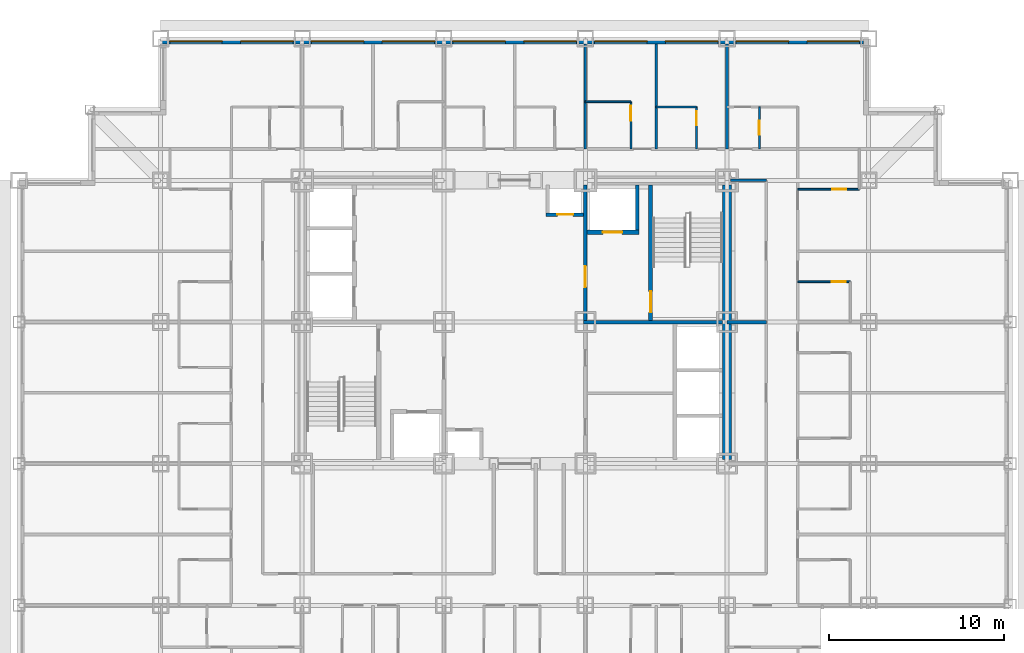
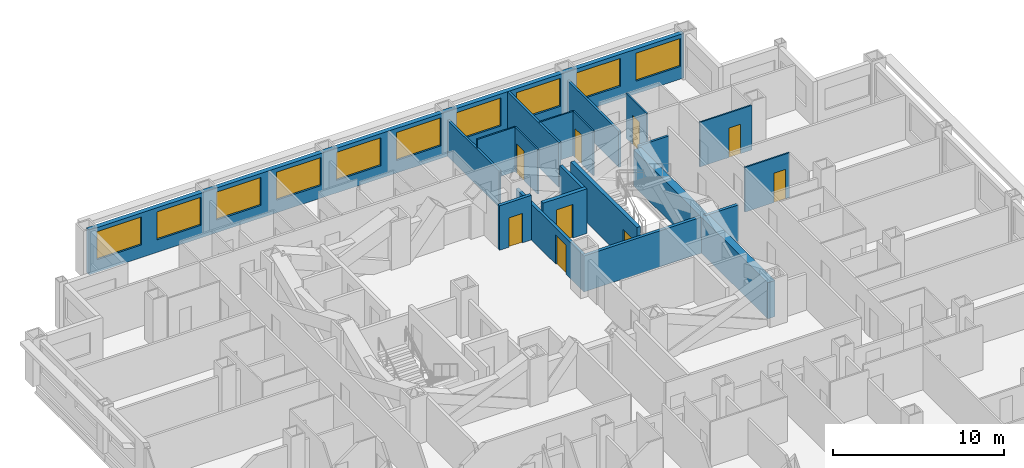
# One storey, part 9 of 11: 20 walls, 10 windows, 9 doors, 19 openings.
"""IFC4 building model written with IfcOpenShell, lengths in metres."""

from ifc_helpers import new_model, si_unit, direction, frame, frame_2d, origin, place, context, subcontext, project, spatial, rectangle, extrude, material, layer, layer_set, type_object, element, fill, save


model = new_model("IFC4")

# Units and contexts
model_context = context("Model", 3, precision=1e-05, world=origin(), true_north=direction((0.0, 1.0)))
body_context = subcontext(model_context, "Body", "Model", "MODEL_VIEW")
ifc_project = project(units=[si_unit("LENGTHUNIT", "METRE"), si_unit("AREAUNIT", "SQUARE_METRE"), si_unit("VOLUMEUNIT", "CUBIC_METRE"), si_unit("PLANEANGLEUNIT", "RADIAN"), si_unit("MASSUNIT", "GRAM", prefix="KILO")], contexts=[model_context])

# Site, building, storey
site_placement = place(None, origin())
site = spatial("IfcSite", under=ifc_project, at=site_placement, CompositionType="ELEMENT")
building_placement = place(site_placement, origin())
building = spatial("IfcBuilding", under=site, at=building_placement, Name="Kopane Lantern Tower", CompositionType="ELEMENT")
storey_placement = place(building_placement, frame((0.0, 0.0, 33.0)))
storey = spatial("IfcBuildingStorey", under=building, at=storey_placement, Name="L06", CompositionType="ELEMENT", Elevation=33.0)

# Wall
ifc_material_1 = material(Name="Moisture-resistant board on steel studs", Category="steel")
ifc_layer_1 = layer(ifc_material_1, 0.10009765625)
ifc_layer_set_1 = layer_set([ifc_layer_1], Name="BATHROOM WALL 100")
wall_type_1 = type_object("IfcWallType", Name="BATHROOM WALL 100", PredefinedType="PARTITIONING", material=ifc_layer_set_1)
wall_1_placement = place(storey_placement, frame((32.39990234375, 45.0, 0.0), z_axis=(0.0, 0.0, 1.0), x_axis=(1.0, 0.0, 0.0)))
element("IfcWall", 1, at=wall_1_placement, inside=storey, type_object=wall_type_1, Name="Bathroom Wall 100 L06", PredefinedType="PARTITIONING", context=body_context, shape_type="SweptSolid", body=[
    extrude(rectangle(XDim=2.60009765625, YDim=0.10009765625, at=frame_2d((1.300048828125, 0.0))), origin(), (0.0, 0.0, 1.0), 3.18994140625),
])

# Wall, opening, door
wall_2_placement = place(storey_placement, frame((35.0, 42.300048828125, 0.0), z_axis=(0.0, 0.0, 1.0), x_axis=(0.0, 1.0, 0.0)))
wall_2 = element("IfcWall", 2, at=wall_2_placement, inside=storey, type_object=wall_type_1, Name="Bathroom Wall 100 L06", PredefinedType="PARTITIONING", context=body_context, shape_type="SweptSolid", body=[
    extrude(rectangle(XDim=2.699951171875, YDim=0.10009765625, at=frame_2d((1.35009765625, 0.0))), origin(), (0.0, 0.0, 1.0), 3.18994140625),
])
opening_1_placement = place(wall_2_placement, frame((1.625, 0.0, 0.0)))
opening_1 = element("IfcOpeningElement", 3, at=opening_1_placement, cuts=wall_2, Name="Opening L06-031", PredefinedType="OPENING", context=body_context, shape_type="SweptSolid", body=[
    extrude(rectangle(XDim=0.85009765625, YDim=2.10009765625, at=frame_2d((0.425048828125, 1.050048828125))), frame((0.0, 0.06005859375, 0.0), z_axis=(0.0, -1.0, 0.0), x_axis=(1.0, 0.0, 0.0)), (0.0, 0.0, 1.0), 0.1201171875),
])
ifc_material_2 = material(Name="Timber door set", Category="wood")
door_type_1 = type_object("IfcDoorType", Name="DOOR D4 850x2100", OperationType="SINGLE_SWING_LEFT", PredefinedType="DOOR", material=ifc_material_2)
door_1_placement = place(opening_1_placement, origin())
door_1 = element("IfcDoor", 4, at=door_1_placement, inside=storey, type_object=door_type_1, Name="Door L06-031", OperationType="SINGLE_SWING_RIGHT", OverallHeight=2.10009765625, OverallWidth=0.85009765625, PredefinedType="DOOR", context=body_context, shape_type="SweptSolid", body=[
    extrude(rectangle(XDim=0.85009765625, YDim=2.10009765625, at=frame_2d((0.425048828125, 1.050048828125))), frame((0.0, 0.02490234375, 0.0), z_axis=(0.0, -1.0, 0.0), x_axis=(1.0, 0.0, 0.0)), (0.0, 0.0, 1.0), 0.050048828125),
])
fill(opening_1, door_1)

# Wall
wall_3_placement = place(storey_placement, frame((36.449951171875, 44.699951171875, 0.0), z_axis=(0.0, 0.0, 1.0), x_axis=(1.0, 0.0, 0.0)))
element("IfcWall", 5, at=wall_3_placement, inside=storey, type_object=wall_type_1, Name="Bathroom Wall 100 L06", PredefinedType="PARTITIONING", context=body_context, shape_type="SweptSolid", body=[
    extrude(rectangle(XDim=2.300048828125, YDim=0.10009765625, at=frame_2d((1.14990234375, 0.0))), origin(), (0.0, 0.0, 1.0), 3.18994140625),
])

# Wall, opening, door
wall_4_placement = place(storey_placement, frame((38.75, 42.300048828125, 0.0), z_axis=(0.0, 0.0, 1.0), x_axis=(0.0, 1.0, 0.0)))
wall_4 = element("IfcWall", 6, at=wall_4_placement, inside=storey, type_object=wall_type_1, Name="Bathroom Wall 100 L06", PredefinedType="PARTITIONING", context=body_context, shape_type="SweptSolid", body=[
    extrude(rectangle(XDim=2.39990234375, YDim=0.10009765625, at=frame_2d((1.199951171875, 0.0))), origin(), (0.0, 0.0, 1.0), 3.18994140625),
])
opening_2_placement = place(wall_4_placement, frame((1.35009765625, 0.0, 0.0)))
opening_2 = element("IfcOpeningElement", 7, at=opening_2_placement, cuts=wall_4, Name="Opening L06-033", PredefinedType="OPENING", context=body_context, shape_type="SweptSolid", body=[
    extrude(rectangle(XDim=0.800048828125, YDim=2.10009765625, at=frame_2d((0.39990234375, 1.050048828125))), frame((0.0, 0.06005859375, 0.0), z_axis=(0.0, -1.0, 0.0), x_axis=(1.0, 0.0, 0.0)), (0.0, 0.0, 1.0), 0.1201171875),
])
ifc_material_3 = material(Name="Timber door set", Category="wood")
door_type_2 = type_object("IfcDoorType", Name="DOOR D2 800x2100", OperationType="SINGLE_SWING_LEFT", PredefinedType="DOOR", material=ifc_material_3)
door_2_placement = place(opening_2_placement, origin())
door_2 = element("IfcDoor", 8, at=door_2_placement, inside=storey, type_object=door_type_2, Name="Door L06-033", OperationType="SINGLE_SWING_RIGHT", OverallHeight=2.10009765625, OverallWidth=0.800048828125, PredefinedType="DOOR", context=body_context, shape_type="SweptSolid", body=[
    extrude(rectangle(XDim=0.800048828125, YDim=2.10009765625, at=frame_2d((0.39990234375, 1.050048828125))), frame((0.0, 0.02490234375, 0.0), z_axis=(0.0, -1.0, 0.0), x_axis=(1.0, 0.0, 0.0)), (0.0, 0.0, 1.0), 0.050048828125),
])
fill(opening_2, door_2)

wall_5_placement = place(storey_placement, frame((44.550048828125, 34.699951171875, 0.0), z_axis=(0.0, 0.0, 1.0), x_axis=(1.0, 0.0, 0.0)))
wall_5 = element("IfcWall", 9, at=wall_5_placement, inside=storey, type_object=wall_type_1, Name="Bathroom Wall 100 L06", PredefinedType="PARTITIONING", context=body_context, shape_type="SweptSolid", body=[
    extrude(rectangle(XDim=3.0, YDim=0.10009765625, at=frame_2d((1.5, 0.0))), origin(), (0.0, 0.0, 1.0), 3.18994140625),
])
opening_3_placement = place(wall_5_placement, frame((1.949951171875, 0.0, 0.0)))
opening_3 = element("IfcOpeningElement", 10, at=opening_3_placement, cuts=wall_5, Name="Opening L06-055", PredefinedType="OPENING", context=body_context, shape_type="SweptSolid", body=[
    extrude(rectangle(XDim=0.800048828125, YDim=2.10009765625, at=frame_2d((0.39990234375, 1.050048828125))), frame((0.0, 0.06005859375, 0.0), z_axis=(0.0, -1.0, 0.0), x_axis=(1.0, 0.0, 0.0)), (0.0, 0.0, 1.0), 0.1201171875),
])
door_3_placement = place(opening_3_placement, origin())
door_3 = element("IfcDoor", 11, at=door_3_placement, inside=storey, type_object=door_type_2, Name="Door L06-055", OperationType="SINGLE_SWING_LEFT", OverallHeight=2.10009765625, OverallWidth=0.800048828125, PredefinedType="DOOR", context=body_context, shape_type="SweptSolid", body=[
    extrude(rectangle(XDim=0.800048828125, YDim=2.10009765625, at=frame_2d((0.39990234375, 1.050048828125))), frame((0.0, 0.02490234375, 0.0), z_axis=(0.0, -1.0, 0.0), x_axis=(1.0, 0.0, 0.0)), (0.0, 0.0, 1.0), 0.050048828125),
])
fill(opening_3, door_3)

wall_6_placement = place(storey_placement, frame((44.550048828125, 40.0, 0.0), z_axis=(0.0, 0.0, 1.0), x_axis=(1.0, 0.0, 0.0)))
wall_6 = element("IfcWall", 12, at=wall_6_placement, inside=storey, type_object=wall_type_1, Name="Bathroom Wall 100 L06", PredefinedType="PARTITIONING", context=body_context, shape_type="SweptSolid", body=[
    extrude(rectangle(XDim=3.514892578125, YDim=0.10009765625, at=frame_2d((1.75732421875, 0.0))), origin(), (0.0, 0.0, 1.0), 3.18994140625),
])
opening_4_placement = place(wall_6_placement, frame((1.965087890625, 0.0, 0.0)))
opening_4 = element("IfcOpeningElement", 13, at=opening_4_placement, cuts=wall_6, Name="Opening L06-057", PredefinedType="OPENING", context=body_context, shape_type="SweptSolid", body=[
    extrude(rectangle(XDim=0.800048828125, YDim=2.10009765625, at=frame_2d((0.39990234375, 1.050048828125))), frame((0.0, 0.06005859375, 0.0), z_axis=(0.0, -1.0, 0.0), x_axis=(1.0, 0.0, 0.0)), (0.0, 0.0, 1.0), 0.1201171875),
])
door_4_placement = place(opening_4_placement, origin())
door_4 = element("IfcDoor", 14, at=door_4_placement, inside=storey, type_object=door_type_2, Name="Door L06-057", OperationType="SINGLE_SWING_RIGHT", OverallHeight=2.10009765625, OverallWidth=0.800048828125, PredefinedType="DOOR", context=body_context, shape_type="SweptSolid", body=[
    extrude(rectangle(XDim=0.800048828125, YDim=2.10009765625, at=frame_2d((0.39990234375, 1.050048828125))), frame((0.0, 0.02490234375, 0.0), z_axis=(0.0, -1.0, 0.0), x_axis=(1.0, 0.0, 0.0)), (0.0, 0.0, 1.0), 0.050048828125),
])
fill(opening_4, door_4)

wall_7_placement = place(storey_placement, frame((42.35009765625, 42.300048828125, 0.0), z_axis=(0.0, 0.0, 1.0), x_axis=(0.0, 1.0, 0.0)))
wall_7 = element("IfcWall", 15, at=wall_7_placement, inside=storey, type_object=wall_type_1, Name="Bathroom Wall 100 L06", PredefinedType="PARTITIONING", context=body_context, shape_type="SweptSolid", body=[
    extrude(rectangle(XDim=2.39990234375, YDim=0.10009765625, at=frame_2d((1.199951171875, 0.0))), origin(), (0.0, 0.0, 1.0), 3.18994140625),
])
opening_5_placement = place(wall_7_placement, frame((0.800048828125, 0.0, 0.0)))
opening_5 = element("IfcOpeningElement", 16, at=opening_5_placement, cuts=wall_7, Name="Opening L06-069", PredefinedType="OPENING", context=body_context, shape_type="SweptSolid", body=[
    extrude(rectangle(XDim=0.800048828125, YDim=2.10009765625, at=frame_2d((0.39990234375, 1.050048828125))), frame((0.0, 0.06005859375, 0.0), z_axis=(0.0, -1.0, 0.0), x_axis=(1.0, 0.0, 0.0)), (0.0, 0.0, 1.0), 0.1201171875),
])
door_5_placement = place(opening_5_placement, origin())
door_5 = element("IfcDoor", 17, at=door_5_placement, inside=storey, type_object=door_type_2, Name="Door L06-069", OperationType="SINGLE_SWING_RIGHT", OverallHeight=2.10009765625, OverallWidth=0.800048828125, PredefinedType="DOOR", context=body_context, shape_type="SweptSolid", body=[
    extrude(rectangle(XDim=0.800048828125, YDim=2.10009765625, at=frame_2d((0.39990234375, 1.050048828125))), frame((0.0, 0.02490234375, 0.0), z_axis=(0.0, -1.0, 0.0), x_axis=(1.0, 0.0, 0.0)), (0.0, 0.0, 1.0), 0.050048828125),
])
fill(opening_5, door_5)

# Wall
ifc_material_4 = material(Name="Gypsum shaft wall EI 120", Category="gypsum")
ifc_layer_2 = layer(ifc_material_4, 0.5)
ifc_layer_set_2 = layer_set([ifc_layer_2], Name="CORE PERIMETER WALL 500 EI 120")
wall_type_2 = type_object("IfcWallType", Name="CORE PERIMETER WALL 500 EI 120", PredefinedType="SOLIDWALL", material=ifc_layer_set_2)
wall_8_placement = place(storey_placement, frame((40.5, 24.550048828125, 0.0), z_axis=(0.0, 0.0, 1.0), x_axis=(0.0, 1.0, 0.0)))
element("IfcWall", 18, at=wall_8_placement, inside=storey, type_object=wall_type_2, Name="Core shaft wall L06 PE", PredefinedType="SOLIDWALL", context=body_context, shape_type="SweptSolid", body=[
    extrude(rectangle(XDim=15.699951171875, YDim=0.5, at=frame_2d((7.85009765625, 0.0))), origin(), (0.0, 0.0, 1.0), 2.577880859375),
])

# Wall, opening, door
ifc_material_5 = material(Name="Gypsum shaft wall EI 120", Category="gypsum")
ifc_layer_3 = layer(ifc_material_5, 0.25)
ifc_layer_set_3 = layer_set([ifc_layer_3], Name="CORE SHAFT WALL 250 EI 120")
wall_type_3 = type_object("IfcWallType", Name="CORE SHAFT WALL 250 EI 120", PredefinedType="SOLIDWALL", material=ifc_layer_set_3)
wall_9_placement = place(storey_placement, frame((36.125, 32.5, 0.0), z_axis=(0.0, 0.0, 1.0), x_axis=(0.0, 1.0, 0.0)))
wall_9 = element("IfcWall", 19, at=wall_9_placement, inside=storey, type_object=wall_type_3, Name="Core shaft wall L06 XST2", PredefinedType="SOLIDWALL", context=body_context, shape_type="SweptSolid", body=[
    extrude(rectangle(XDim=7.75, YDim=0.25, at=frame_2d((3.875, 0.0))), origin(), (0.0, 0.0, 1.0), 3.18994140625),
])
opening_6_placement = place(wall_9_placement, frame((0.449951171875, 0.0, 0.0)))
opening_6 = element("IfcOpeningElement", 20, at=opening_6_placement, cuts=wall_9, Name="Opening 06.SD2", PredefinedType="OPENING", context=body_context, shape_type="SweptSolid", body=[
    extrude(rectangle(XDim=1.199951171875, YDim=2.10009765625, at=frame_2d((0.60009765625, 1.050048828125))), frame((0.0, 0.135009765625, 0.0), z_axis=(0.0, -1.0, 0.0), x_axis=(1.0, 0.0, 0.0)), (0.0, 0.0, 1.0), 0.27001953125),
])
ifc_material_6 = material(Name="Steel door set", Category="steel")
door_type_3 = type_object("IfcDoorType", Name="STAIR DOOR 1200x2100 FD60S", OperationType="SINGLE_SWING_LEFT", PredefinedType="DOOR", material=ifc_material_6)
door_6_placement = place(opening_6_placement, origin())
door_6 = element("IfcDoor", 21, at=door_6_placement, inside=storey, type_object=door_type_3, Name="Stair door ST2 L06", OperationType="SINGLE_SWING_RIGHT", OverallHeight=2.10009765625, OverallWidth=1.199951171875, PredefinedType="DOOR", context=body_context, shape_type="SweptSolid", body=[
    extrude(rectangle(XDim=1.199951171875, YDim=2.10009765625, at=frame_2d((0.60009765625, 1.050048828125))), frame((0.0, 0.02490234375, 0.0), z_axis=(0.0, -1.0, 0.0), x_axis=(1.0, 0.0, 0.0)), (0.0, 0.0, 1.0), 0.050048828125),
])
fill(opening_6, door_6)

wall_10_placement = place(storey_placement, frame((32.5, 37.52490234375, 0.0), z_axis=(0.0, 0.0, 1.0), x_axis=(1.0, 0.0, 0.0)))
wall_10 = element("IfcWall", 22, at=wall_10_placement, inside=storey, type_object=wall_type_3, Name="Core shaft wall L06 YLF2", PredefinedType="SOLIDWALL", context=body_context, shape_type="SweptSolid", body=[
    extrude(rectangle(XDim=2.949951171875, YDim=0.25, at=frame_2d((1.47509765625, 0.0))), origin(), (0.0, 0.0, 1.0), 3.18994140625),
])
opening_7_placement = place(wall_10_placement, frame((0.89990234375, 0.0, 0.0)))
opening_7 = element("IfcOpeningElement", 23, at=opening_7_placement, cuts=wall_10, Name="Opening 06.LD-LF2", PredefinedType="OPENING", context=body_context, shape_type="SweptSolid", body=[
    extrude(rectangle(XDim=1.10009765625, YDim=2.39990234375, at=frame_2d((0.550048828125, 1.199951171875))), frame((0.0, 0.135009765625, 0.0), z_axis=(0.0, -1.0, 0.0), x_axis=(1.0, 0.0, 0.0)), (0.0, 0.0, 1.0), 0.27001953125),
])
ifc_material_7 = material(Name="Steel door set", Category="steel")
door_type_4 = type_object("IfcDoorType", Name="LIFT LANDING DOOR 1100x2400 FD60", OperationType="DOUBLE_DOOR_SLIDING", PredefinedType="DOOR", material=ifc_material_7)
door_7_placement = place(opening_7_placement, origin())
door_7 = element("IfcDoor", 24, at=door_7_placement, inside=storey, type_object=door_type_4, Name="Landing door LF2 L06", OperationType="DOUBLE_DOOR_SLIDING", OverallHeight=2.39990234375, OverallWidth=1.10009765625, PredefinedType="DOOR", context=body_context, shape_type="SweptSolid", body=[
    extrude(rectangle(XDim=1.10009765625, YDim=2.39990234375, at=frame_2d((0.550048828125, 1.199951171875))), frame((0.0, 0.02490234375, 0.0), z_axis=(0.0, -1.0, 0.0), x_axis=(1.0, 0.0, 0.0)), (0.0, 0.0, 1.0), 0.050048828125),
])
fill(opening_7, door_7)

# Walls
ifc_material_8 = material(Name="Gypsum board on steel studs", Category="steel")
ifc_layer_4 = layer(ifc_material_8, 0.14990234375)
ifc_layer_set_4 = layer_set([ifc_layer_4], Name="CORRIDOR WALL 150 EI 60")
wall_type_4 = type_object("IfcWallType", Name="CORRIDOR WALL 150 EI 60", PredefinedType="PARTITIONING", material=ifc_layer_set_4)
wall_11_placement = place(storey_placement, frame((42.75, 40.5, 0.0), z_axis=(0.0, 0.0, 1.0), x_axis=(-1.0, 0.0, 0.0)))
element("IfcWall", 25, at=wall_11_placement, inside=storey, type_object=wall_type_4, Name="Corridor Wall 150 Ei 60 L06", PredefinedType="PARTITIONING", context=body_context, shape_type="SweptSolid", body=[
    extrude(rectangle(XDim=2.050048828125, YDim=0.14990234375, at=frame_2d((1.02490234375, 0.0))), origin(), (0.0, 0.0, 1.0), 2.577880859375),
])
ifc_material_9 = material(Name="Gypsum board on steel studs", Category="steel")
ifc_layer_5 = layer(ifc_material_9, 0.14990234375)
ifc_layer_set_5 = layer_set([ifc_layer_5], Name="DEMISING WALL 150 EI 60")
wall_type_5 = type_object("IfcWallType", Name="DEMISING WALL 150 EI 60", PredefinedType="PARTITIONING", material=ifc_layer_set_5)
wall_12_placement = place(storey_placement, frame((32.39990234375, 42.300048828125, 0.0), z_axis=(0.0, 0.0, 1.0), x_axis=(0.0, 1.0, 0.0)))
element("IfcWall", 26, at=wall_12_placement, inside=storey, type_object=wall_type_5, Name="Demising Wall 150 Ei 60 L06", PredefinedType="PARTITIONING", context=body_context, shape_type="SweptSolid", body=[
    extrude(rectangle(XDim=6.0, YDim=0.14990234375, at=frame_2d((3.0, 0.0))), origin(), (0.0, 0.0, 1.0), 2.577880859375),
])
wall_13_placement = place(storey_placement, frame((36.449951171875, 42.300048828125, 0.0), z_axis=(0.0, 0.0, 1.0), x_axis=(0.0, 1.0, 0.0)))
element("IfcWall", 27, at=wall_13_placement, inside=storey, type_object=wall_type_5, Name="Demising Wall 150 Ei 60 L06", PredefinedType="PARTITIONING", context=body_context, shape_type="SweptSolid", body=[
    extrude(rectangle(XDim=6.0, YDim=0.14990234375, at=frame_2d((3.0, 0.0))), origin(), (0.0, 0.0, 1.0), 3.18994140625),
])
wall_14_placement = place(storey_placement, frame((40.5, 42.300048828125, 0.0), z_axis=(0.0, 0.0, 1.0), x_axis=(0.0, 1.0, 0.0)))
element("IfcWall", 28, at=wall_14_placement, inside=storey, type_object=wall_type_5, Name="Demising Wall 150 Ei 60 L06", PredefinedType="PARTITIONING", context=body_context, shape_type="SweptSolid", body=[
    extrude(rectangle(XDim=6.0, YDim=0.14990234375, at=frame_2d((3.0, 0.0))), origin(), (0.0, 0.0, 1.0), 2.577880859375),
])

# Wall, openings, windows
ifc_material_10 = material(Name="Terracotta rainscreen on light steel framing", Category="masonry")
ifc_layer_6 = layer(ifc_material_10, 0.300048828125)
ifc_layer_set_6 = layer_set([ifc_layer_6], Name="EXTERNAL WALL EW1 300 TERRACOTTA")
wall_type_6 = type_object("IfcWallType", Name="EXTERNAL WALL EW1 300 TERRACOTTA", PredefinedType="SOLIDWALL", material=ifc_layer_set_6)
wall_15_placement = place(storey_placement, frame((48.300048828125, 48.449951171875, 0.0), z_axis=(0.0, 0.0, 1.0), x_axis=(-1.0, 0.0, 0.0)))
wall_15 = element("IfcWall", 29, at=wall_15_placement, inside=storey, type_object=wall_type_6, Name="External wall N L06", PredefinedType="SOLIDWALL", context=body_context, shape_type="SweptSolid", body=[
    extrude(rectangle(XDim=40.199951171875, YDim=0.300048828125, at=frame_2d((20.10009765625, 0.0))), origin(), (0.0, 0.0, 1.0), 3.18994140625),
])
opening_8_placement = place(wall_15_placement, frame((0.22509765625, 0.0, 0.89990234375)))
opening_8 = element("IfcOpeningElement", 30, at=opening_8_placement, cuts=wall_15, Name="Opening WR300200", PredefinedType="OPENING", context=body_context, shape_type="SweptSolid", body=[
    extrude(rectangle(XDim=3.0, YDim=2.0, at=frame_2d((1.5, 1.0))), frame((0.0, 0.159912109375, 0.0), z_axis=(0.0, -1.0, 0.0), x_axis=(1.0, 0.0, 0.0)), (0.0, 0.0, 1.0), 0.320068359375),
])
opening_9_placement = place(wall_15_placement, frame((4.27490234375, 0.0, 0.89990234375)))
opening_9 = element("IfcOpeningElement", 31, at=opening_9_placement, cuts=wall_15, Name="Opening WR300200", PredefinedType="OPENING", context=body_context, shape_type="SweptSolid", body=[
    extrude(rectangle(XDim=3.0, YDim=2.0, at=frame_2d((1.5, 1.0))), frame((0.0, 0.159912109375, 0.0), z_axis=(0.0, -1.0, 0.0), x_axis=(1.0, 0.0, 0.0)), (0.0, 0.0, 1.0), 0.320068359375),
])
opening_10_placement = place(wall_15_placement, frame((8.324951171875, 0.0, 0.89990234375)))
opening_10 = element("IfcOpeningElement", 32, at=opening_10_placement, cuts=wall_15, Name="Opening WR300200", PredefinedType="OPENING", context=body_context, shape_type="SweptSolid", body=[
    extrude(rectangle(XDim=3.0, YDim=2.0, at=frame_2d((1.5, 1.0))), frame((0.0, 0.159912109375, 0.0), z_axis=(0.0, -1.0, 0.0), x_axis=(1.0, 0.0, 0.0)), (0.0, 0.0, 1.0), 0.320068359375),
])
opening_11_placement = place(wall_15_placement, frame((12.375, 0.0, 0.89990234375)))
opening_11 = element("IfcOpeningElement", 33, at=opening_11_placement, cuts=wall_15, Name="Opening WR300200", PredefinedType="OPENING", context=body_context, shape_type="SweptSolid", body=[
    extrude(rectangle(XDim=3.0, YDim=2.0, at=frame_2d((1.5, 1.0))), frame((0.0, 0.159912109375, 0.0), z_axis=(0.0, -1.0, 0.0), x_axis=(1.0, 0.0, 0.0)), (0.0, 0.0, 1.0), 0.320068359375),
])
opening_12_placement = place(wall_15_placement, frame((16.425048828125, 0.0, 0.89990234375)))
opening_12 = element("IfcOpeningElement", 34, at=opening_12_placement, cuts=wall_15, Name="Opening WR300200", PredefinedType="OPENING", context=body_context, shape_type="SweptSolid", body=[
    extrude(rectangle(XDim=3.0, YDim=2.0, at=frame_2d((1.5, 1.0))), frame((0.0, 0.159912109375, 0.0), z_axis=(0.0, -1.0, 0.0), x_axis=(1.0, 0.0, 0.0)), (0.0, 0.0, 1.0), 0.320068359375),
])
opening_13_placement = place(wall_15_placement, frame((20.47509765625, 0.0, 0.89990234375)))
opening_13 = element("IfcOpeningElement", 35, at=opening_13_placement, cuts=wall_15, Name="Opening WR300200", PredefinedType="OPENING", context=body_context, shape_type="SweptSolid", body=[
    extrude(rectangle(XDim=3.0, YDim=2.0, at=frame_2d((1.5, 1.0))), frame((0.0, 0.159912109375, 0.0), z_axis=(0.0, -1.0, 0.0), x_axis=(1.0, 0.0, 0.0)), (0.0, 0.0, 1.0), 0.320068359375),
])
opening_14_placement = place(wall_15_placement, frame((24.52490234375, 0.0, 0.89990234375)))
opening_14 = element("IfcOpeningElement", 36, at=opening_14_placement, cuts=wall_15, Name="Opening WR300200", PredefinedType="OPENING", context=body_context, shape_type="SweptSolid", body=[
    extrude(rectangle(XDim=3.0, YDim=2.0, at=frame_2d((1.5, 1.0))), frame((0.0, 0.159912109375, 0.0), z_axis=(0.0, -1.0, 0.0), x_axis=(1.0, 0.0, 0.0)), (0.0, 0.0, 1.0), 0.320068359375),
])
opening_15_placement = place(wall_15_placement, frame((28.574951171875, 0.0, 0.89990234375)))
opening_15 = element("IfcOpeningElement", 37, at=opening_15_placement, cuts=wall_15, Name="Opening WR300200", PredefinedType="OPENING", context=body_context, shape_type="SweptSolid", body=[
    extrude(rectangle(XDim=3.0, YDim=2.0, at=frame_2d((1.5, 1.0))), frame((0.0, 0.159912109375, 0.0), z_axis=(0.0, -1.0, 0.0), x_axis=(1.0, 0.0, 0.0)), (0.0, 0.0, 1.0), 0.320068359375),
])
opening_16_placement = place(wall_15_placement, frame((32.625, 0.0, 0.89990234375)))
opening_16 = element("IfcOpeningElement", 38, at=opening_16_placement, cuts=wall_15, Name="Opening WR300200", PredefinedType="OPENING", context=body_context, shape_type="SweptSolid", body=[
    extrude(rectangle(XDim=3.0, YDim=2.0, at=frame_2d((1.5, 1.0))), frame((0.0, 0.159912109375, 0.0), z_axis=(0.0, -1.0, 0.0), x_axis=(1.0, 0.0, 0.0)), (0.0, 0.0, 1.0), 0.320068359375),
])
opening_17_placement = place(wall_15_placement, frame((36.675048828125, 0.0, 0.89990234375)))
opening_17 = element("IfcOpeningElement", 39, at=opening_17_placement, cuts=wall_15, Name="Opening WR300200", PredefinedType="OPENING", context=body_context, shape_type="SweptSolid", body=[
    extrude(rectangle(XDim=3.0, YDim=2.0, at=frame_2d((1.5, 1.0))), frame((0.0, 0.159912109375, 0.0), z_axis=(0.0, -1.0, 0.0), x_axis=(1.0, 0.0, 0.0)), (0.0, 0.0, 1.0), 0.320068359375),
])
ifc_material_11 = material(Name="Aluminium and clear glass", Category="aluminium")
window_type = type_object("IfcWindowType", Name="RIBBON WINDOW WR300200 3000x2000", PartitioningType="SINGLE_PANEL", PredefinedType="WINDOW", material=ifc_material_11)
window_1_placement = place(opening_8_placement, origin())
window_1 = element("IfcWindow", 40, at=window_1_placement, inside=storey, type_object=window_type, Name="Window N L06", OverallHeight=2.0, OverallWidth=3.0, PartitioningType="SINGLE_PANEL", PredefinedType="WINDOW", context=body_context, shape_type="SweptSolid", body=[
    extrude(rectangle(XDim=3.0, YDim=2.0, at=frame_2d((1.5, 1.0))), frame((0.0, 0.030029296875, 0.0), z_axis=(0.0, -1.0, 0.0), x_axis=(1.0, 0.0, 0.0)), (0.0, 0.0, 1.0), 0.06005859375),
])
fill(opening_8, window_1)
window_2_placement = place(opening_9_placement, origin())
window_2 = element("IfcWindow", 41, at=window_2_placement, inside=storey, type_object=window_type, Name="Window N L06", OverallHeight=2.0, OverallWidth=3.0, PartitioningType="SINGLE_PANEL", PredefinedType="WINDOW", context=body_context, shape_type="SweptSolid", body=[
    extrude(rectangle(XDim=3.0, YDim=2.0, at=frame_2d((1.5, 1.0))), frame((0.0, 0.030029296875, 0.0), z_axis=(0.0, -1.0, 0.0), x_axis=(1.0, 0.0, 0.0)), (0.0, 0.0, 1.0), 0.06005859375),
])
fill(opening_9, window_2)
window_3_placement = place(opening_10_placement, origin())
window_3 = element("IfcWindow", 42, at=window_3_placement, inside=storey, type_object=window_type, Name="Window N L06", OverallHeight=2.0, OverallWidth=3.0, PartitioningType="SINGLE_PANEL", PredefinedType="WINDOW", context=body_context, shape_type="SweptSolid", body=[
    extrude(rectangle(XDim=3.0, YDim=2.0, at=frame_2d((1.5, 1.0))), frame((0.0, 0.030029296875, 0.0), z_axis=(0.0, -1.0, 0.0), x_axis=(1.0, 0.0, 0.0)), (0.0, 0.0, 1.0), 0.06005859375),
])
fill(opening_10, window_3)
window_4_placement = place(opening_11_placement, origin())
window_4 = element("IfcWindow", 43, at=window_4_placement, inside=storey, type_object=window_type, Name="Window N L06", OverallHeight=2.0, OverallWidth=3.0, PartitioningType="SINGLE_PANEL", PredefinedType="WINDOW", context=body_context, shape_type="SweptSolid", body=[
    extrude(rectangle(XDim=3.0, YDim=2.0, at=frame_2d((1.5, 1.0))), frame((0.0, 0.030029296875, 0.0), z_axis=(0.0, -1.0, 0.0), x_axis=(1.0, 0.0, 0.0)), (0.0, 0.0, 1.0), 0.06005859375),
])
fill(opening_11, window_4)
window_5_placement = place(opening_12_placement, origin())
window_5 = element("IfcWindow", 44, at=window_5_placement, inside=storey, type_object=window_type, Name="Window N L06", OverallHeight=2.0, OverallWidth=3.0, PartitioningType="SINGLE_PANEL", PredefinedType="WINDOW", context=body_context, shape_type="SweptSolid", body=[
    extrude(rectangle(XDim=3.0, YDim=2.0, at=frame_2d((1.5, 1.0))), frame((0.0, 0.030029296875, 0.0), z_axis=(0.0, -1.0, 0.0), x_axis=(1.0, 0.0, 0.0)), (0.0, 0.0, 1.0), 0.06005859375),
])
fill(opening_12, window_5)
window_6_placement = place(opening_13_placement, origin())
window_6 = element("IfcWindow", 45, at=window_6_placement, inside=storey, type_object=window_type, Name="Window N L06", OverallHeight=2.0, OverallWidth=3.0, PartitioningType="SINGLE_PANEL", PredefinedType="WINDOW", context=body_context, shape_type="SweptSolid", body=[
    extrude(rectangle(XDim=3.0, YDim=2.0, at=frame_2d((1.5, 1.0))), frame((0.0, 0.030029296875, 0.0), z_axis=(0.0, -1.0, 0.0), x_axis=(1.0, 0.0, 0.0)), (0.0, 0.0, 1.0), 0.06005859375),
])
fill(opening_13, window_6)
window_7_placement = place(opening_14_placement, origin())
window_7 = element("IfcWindow", 46, at=window_7_placement, inside=storey, type_object=window_type, Name="Window N L06", OverallHeight=2.0, OverallWidth=3.0, PartitioningType="SINGLE_PANEL", PredefinedType="WINDOW", context=body_context, shape_type="SweptSolid", body=[
    extrude(rectangle(XDim=3.0, YDim=2.0, at=frame_2d((1.5, 1.0))), frame((0.0, 0.030029296875, 0.0), z_axis=(0.0, -1.0, 0.0), x_axis=(1.0, 0.0, 0.0)), (0.0, 0.0, 1.0), 0.06005859375),
])
fill(opening_14, window_7)
window_8_placement = place(opening_15_placement, origin())
window_8 = element("IfcWindow", 47, at=window_8_placement, inside=storey, type_object=window_type, Name="Window N L06", OverallHeight=2.0, OverallWidth=3.0, PartitioningType="SINGLE_PANEL", PredefinedType="WINDOW", context=body_context, shape_type="SweptSolid", body=[
    extrude(rectangle(XDim=3.0, YDim=2.0, at=frame_2d((1.5, 1.0))), frame((0.0, 0.030029296875, 0.0), z_axis=(0.0, -1.0, 0.0), x_axis=(1.0, 0.0, 0.0)), (0.0, 0.0, 1.0), 0.06005859375),
])
fill(opening_15, window_8)
window_9_placement = place(opening_16_placement, origin())
window_9 = element("IfcWindow", 48, at=window_9_placement, inside=storey, type_object=window_type, Name="Window N L06", OverallHeight=2.0, OverallWidth=3.0, PartitioningType="SINGLE_PANEL", PredefinedType="WINDOW", context=body_context, shape_type="SweptSolid", body=[
    extrude(rectangle(XDim=3.0, YDim=2.0, at=frame_2d((1.5, 1.0))), frame((0.0, 0.030029296875, 0.0), z_axis=(0.0, -1.0, 0.0), x_axis=(1.0, 0.0, 0.0)), (0.0, 0.0, 1.0), 0.06005859375),
])
fill(opening_16, window_9)
window_10_placement = place(opening_17_placement, origin())
window_10 = element("IfcWindow", 49, at=window_10_placement, inside=storey, type_object=window_type, Name="Window N L06", OverallHeight=2.0, OverallWidth=3.0, PartitioningType="SINGLE_PANEL", PredefinedType="WINDOW", context=body_context, shape_type="SweptSolid", body=[
    extrude(rectangle(XDim=3.0, YDim=2.0, at=frame_2d((1.5, 1.0))), frame((0.0, 0.030029296875, 0.0), z_axis=(0.0, -1.0, 0.0), x_axis=(1.0, 0.0, 0.0)), (0.0, 0.0, 1.0), 0.06005859375),
])
fill(opening_17, window_10)

# Walls
ifc_material_12 = material(Name="Concrete masonry", Category="masonry")
ifc_layer_7 = layer(ifc_material_12, 0.199951171875)
ifc_layer_set_7 = layer_set([ifc_layer_7], Name="PLANT ROOM WALL 200 EI 120")
wall_type_7 = type_object("IfcWallType", Name="PLANT ROOM WALL 200 EI 120", PredefinedType="SOLIDWALL", material=ifc_layer_set_7)
wall_16_placement = place(storey_placement, frame((40.5, 32.39990234375, 0.0), z_axis=(0.0, 0.0, 1.0), x_axis=(1.0, 0.0, 0.0)))
element("IfcWall", 50, at=wall_16_placement, inside=storey, type_object=wall_type_7, Name="Plant Room Wall 200 Ei 120 L06", PredefinedType="SOLIDWALL", context=body_context, shape_type="SweptSolid", body=[
    extrude(rectangle(XDim=2.25, YDim=0.199951171875, at=frame_2d((1.125, 0.0))), origin(), (0.0, 0.0, 1.0), 2.577880859375),
])
ifc_material_13 = material(Name="Gypsum shaft wall EI 120", Category="gypsum")
ifc_layer_8 = layer(ifc_material_13, 0.199951171875)
ifc_layer_set_8 = layer_set([ifc_layer_8], Name="SHAFT WALL 200 EI 120")
wall_type_8 = type_object("IfcWallType", Name="SHAFT WALL 200 EI 120", PredefinedType="SOLIDWALL", material=ifc_layer_set_8)
wall_17_placement = place(storey_placement, frame((32.300048828125, 32.39990234375, 0.0), z_axis=(0.0, 0.0, 1.0), x_axis=(1.0, 0.0, 0.0)))
element("IfcWall", 51, at=wall_17_placement, inside=storey, type_object=wall_type_8, Name="Core shaft wall L06 Y324E", PredefinedType="SOLIDWALL", context=body_context, shape_type="SweptSolid", body=[
    extrude(rectangle(XDim=7.949951171875, YDim=0.199951171875, at=frame_2d((3.97509765625, 0.0))), origin(), (0.0, 0.0, 1.0), 2.577880859375),
])

# Wall, opening, door
wall_18_placement = place(storey_placement, frame((32.39990234375, 32.5, 0.0), z_axis=(0.0, 0.0, 1.0), x_axis=(0.0, 1.0, 0.0)))
wall_18 = element("IfcWall", 52, at=wall_18_placement, inside=storey, type_object=wall_type_8, Name="Core shaft wall L06 X324", PredefinedType="SOLIDWALL", context=body_context, shape_type="SweptSolid", body=[
    extrude(rectangle(XDim=7.75, YDim=0.199951171875, at=frame_2d((3.875, 0.0))), origin(), (0.0, 0.0, 1.0), 2.577880859375),
])
opening_18_placement = place(wall_18_placement, frame((1.89990234375, 0.0, 0.0)))
opening_18 = element("IfcOpeningElement", 53, at=opening_18_placement, cuts=wall_18, Name="Opening 06.FL2", PredefinedType="OPENING", context=body_context, shape_type="SweptSolid", body=[
    extrude(rectangle(XDim=1.199951171875, YDim=2.10009765625, at=frame_2d((0.60009765625, 1.050048828125))), frame((0.0, 0.10986328125, 0.0), z_axis=(0.0, -1.0, 0.0), x_axis=(1.0, 0.0, 0.0)), (0.0, 0.0, 1.0), 0.219970703125),
])
ifc_material_14 = material(Name="Steel door set", Category="steel")
door_type_5 = type_object("IfcDoorType", Name="FIREFIGHTING LOBBY DOOR 1200x2100 FD60S", OperationType="SINGLE_SWING_RIGHT", PredefinedType="DOOR", material=ifc_material_14)
door_8_placement = place(opening_18_placement, origin())
door_8 = element("IfcDoor", 54, at=door_8_placement, inside=storey, type_object=door_type_5, Name="Firefighting lobby door FL2 L06", OperationType="SINGLE_SWING_LEFT", OverallHeight=2.10009765625, OverallWidth=1.199951171875, PredefinedType="DOOR", context=body_context, shape_type="SweptSolid", body=[
    extrude(rectangle(XDim=1.199951171875, YDim=2.10009765625, at=frame_2d((0.60009765625, 1.050048828125))), frame((0.0, 0.02490234375, 0.0), z_axis=(0.0, -1.0, 0.0), x_axis=(1.0, 0.0, 0.0)), (0.0, 0.0, 1.0), 0.050048828125),
])
fill(opening_18, door_8)

# Wall
wall_19_placement = place(storey_placement, frame((35.35009765625, 37.64990234375, 0.0), z_axis=(0.0, 0.0, 1.0), x_axis=(0.0, 1.0, 0.0)))
element("IfcWall", 55, at=wall_19_placement, inside=storey, type_object=wall_type_8, Name="Core shaft wall L06 XLF2", PredefinedType="SOLIDWALL", context=body_context, shape_type="SweptSolid", body=[
    extrude(rectangle(XDim=2.60009765625, YDim=0.199951171875, at=frame_2d((1.300048828125, 0.0))), origin(), (0.0, 0.0, 1.0), 3.18994140625),
])

# Wall, opening, door
wall_20_placement = place(storey_placement, frame((30.14990234375, 38.550048828125, 0.0), z_axis=(0.0, 0.0, 1.0), x_axis=(1.0, 0.0, 0.0)))
wall_20 = element("IfcWall", 56, at=wall_20_placement, inside=storey, type_object=wall_type_8, Name="Core shaft wall L06 YRS2", PredefinedType="SOLIDWALL", context=body_context, shape_type="SweptSolid", body=[
    extrude(rectangle(XDim=2.150146484375, YDim=0.199951171875, at=frame_2d((1.0751953125, 0.0))), origin(), (0.0, 0.0, 1.0), 3.18994140625),
])
opening_19_placement = place(wall_20_placement, frame((0.64990234375, 0.0, 0.0)))
opening_19 = element("IfcOpeningElement", 57, at=opening_19_placement, cuts=wall_20, Name="Opening 06.RS2", PredefinedType="OPENING", context=body_context, shape_type="SweptSolid", body=[
    extrude(rectangle(XDim=0.89990234375, YDim=2.10009765625, at=frame_2d((0.449951171875, 1.050048828125))), frame((0.0, 0.10986328125, 0.0), z_axis=(0.0, -1.0, 0.0), x_axis=(1.0, 0.0, 0.0)), (0.0, 0.0, 1.0), 0.219970703125),
])
ifc_material_15 = material(Name="Steel door set", Category="steel")
door_type_6 = type_object("IfcDoorType", Name="RISER ACCESS DOOR 900x2100 FD60", OperationType="SINGLE_SWING_LEFT", PredefinedType="DOOR", material=ifc_material_15)
door_9_placement = place(opening_19_placement, origin())
door_9 = element("IfcDoor", 58, at=door_9_placement, inside=storey, type_object=door_type_6, Name="Riser access door RS2 L06", OperationType="SINGLE_SWING_LEFT", OverallHeight=2.10009765625, OverallWidth=0.89990234375, PredefinedType="DOOR", context=body_context, shape_type="SweptSolid", body=[
    extrude(rectangle(XDim=0.89990234375, YDim=2.10009765625, at=frame_2d((0.449951171875, 1.050048828125))), frame((0.0, 0.02490234375, 0.0), z_axis=(0.0, -1.0, 0.0), x_axis=(1.0, 0.0, 0.0)), (0.0, 0.0, 1.0), 0.050048828125),
])
fill(opening_19, door_9)

save(model, "model.ifc")
